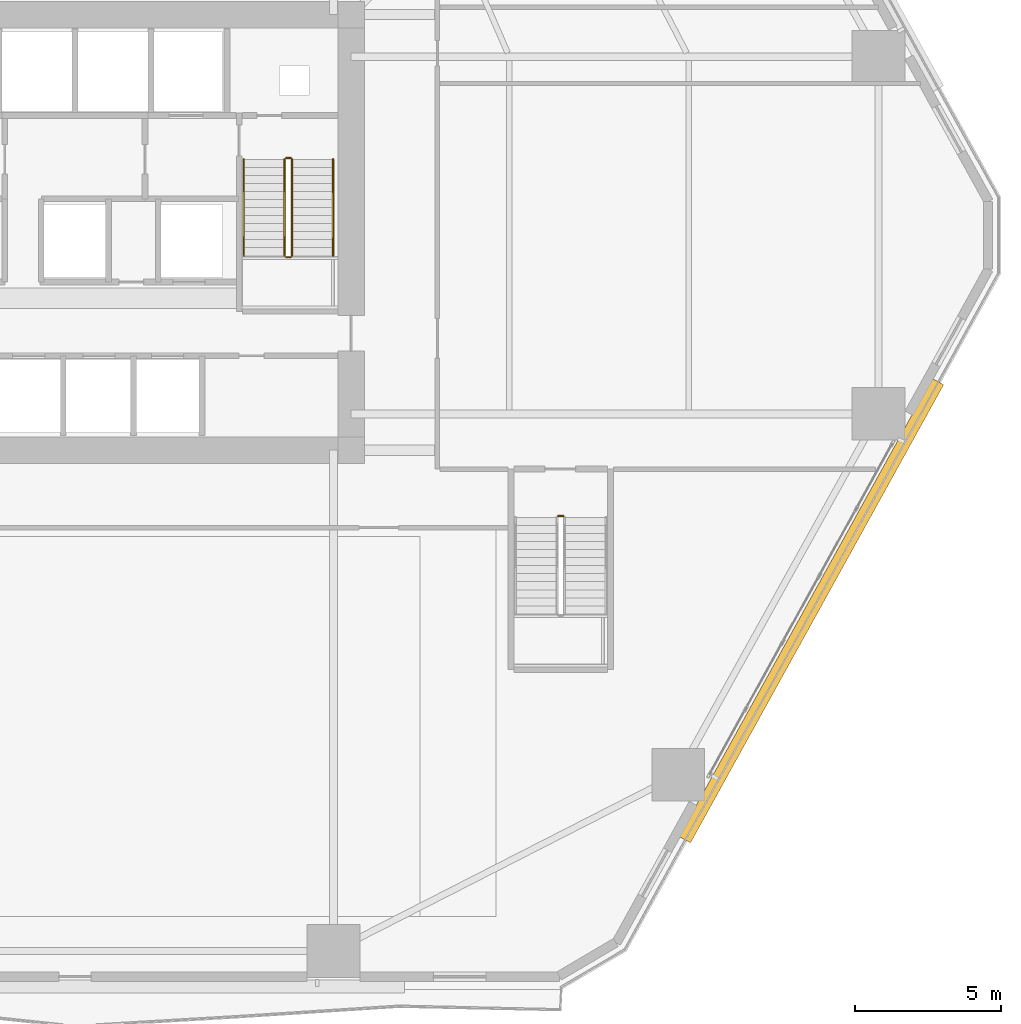
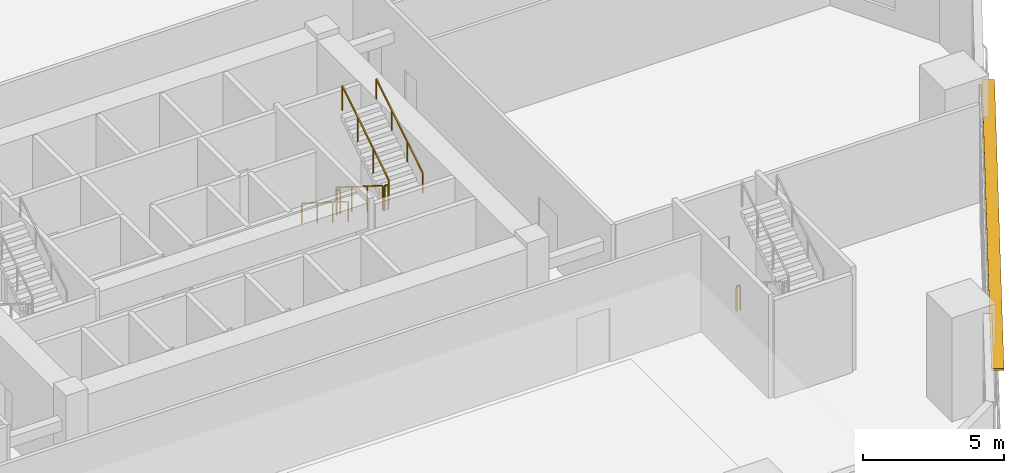
# One storey, part 20 of 21: 7 railings, 1 shading device.
"""IFC4 building model written with IfcOpenShell, lengths in metres."""

from ifc_helpers import new_model, si_unit, direction, frame, origin, origin_2d, place, context, subcontext, project, spatial, rectangle, extrude, material, layer, layer_set, type_object, element, save


model = new_model("IFC4")

# Units and contexts
model_context = context("Model", 3, precision=1e-05, world=origin(), true_north=direction((0.0, 1.0)))
body_context = subcontext(model_context, "Body", "Model", "MODEL_VIEW")
ifc_project = project(units=[si_unit("LENGTHUNIT", "METRE"), si_unit("AREAUNIT", "SQUARE_METRE"), si_unit("VOLUMEUNIT", "CUBIC_METRE"), si_unit("PLANEANGLEUNIT", "RADIAN"), si_unit("MASSUNIT", "GRAM", prefix="KILO")], contexts=[model_context])

# Site, building, storey
site_placement = place(None, origin())
site = spatial("IfcSite", under=ifc_project, at=site_placement, CompositionType="ELEMENT")
building_placement = place(site_placement, origin())
building = spatial("IfcBuilding", under=site, at=building_placement, Name="Cinnabar Lancet Tower", CompositionType="ELEMENT")
storey_placement = place(building_placement, frame((0.0, 0.0, 6.0)))
storey = spatial("IfcBuildingStorey", under=building, at=storey_placement, Name="L01", CompositionType="ELEMENT", Elevation=6.0)

# Shading device
ifc_material_1 = material(Name="Pale limestone architectural aluminium sunshade", Category="masonry")
ifc_layer = layer(ifc_material_1, 0.080078125)
ifc_layer_set = layer_set([ifc_layer], Name="Pale limestone architectural aluminium sunshade")
shading_device_type = type_object("IfcShadingDeviceType", Name="ENV-SHD-LVR-450", PredefinedType="JALOUSIE", material=ifc_layer_set)
shading_device_placement = place(storey_placement, frame((57.591064453125, 12.9609375, 2.639892578125), z_axis=(0.0, 0.0, 1.0), x_axis=(0.483679606683, 0.87524513028, 0.0)))
element("IfcShadingDevice", 1, at=shading_device_placement, inside=storey, type_object=shading_device_type, Name="L01 Face 2 Horizontal Sunshade Canopy", PredefinedType="JALOUSIE", context=body_context, shape_type="SweptSolid", body=[
    extrude(rectangle(XDim=17.904052734375, YDim=0.449951171875, at=origin_2d()), origin(), (0.0, 0.0, 1.0), 0.080078125),
])

# Railings
ifc_material_2 = material(Name="Painted galvanized steel balustrade", Category="steel")
railing_type_1 = type_object("IfcRailingType", Name="GUARD-STAIR", PredefinedType="GUARDRAIL", material=ifc_material_2)
railing_1_placement = place(storey_placement, frame((39.574951171875, 28.39990234375, 0.173095703125)))
element("IfcRailing", 2, at=railing_1_placement, inside=storey, type_object=railing_type_1, Name="L01 ST-2 stair guard 1", PredefinedType="GUARDRAIL", context=body_context, shape_type="SweptSolid", body=[
    extrude(rectangle(XDim=0.048095703125, YDim=0.048095703125, at=origin_2d()), frame((0.0, 0.0, 1.076171875), z_axis=(0.0, -0.846319618018, 0.532675421018), x_axis=(1.0, 0.0, 0.0)), (0.0, 0.0, 1.0), 3.89892578125),
    extrude(rectangle(XDim=0.0419921875, YDim=0.0419921875, at=origin_2d()), origin(), (0.0, 0.0, 1.0), 1.052001953125),
    extrude(rectangle(XDim=0.0419921875, YDim=0.0419921875, at=origin_2d()), frame((0.0, -1.099853515625, 0.6923828125)), (0.0, 0.0, 1.0), 1.052001953125),
    extrude(rectangle(XDim=0.0419921875, YDim=0.0419921875, at=origin_2d()), frame((0.0, -2.199951171875, 1.384521484375)), (0.0, 0.0, 1.0), 1.052001953125),
    extrude(rectangle(XDim=0.0419921875, YDim=0.0419921875, at=origin_2d()), frame((0.0, -3.2998046875, 2.076904296875)), (0.0, 0.0, 1.0), 1.052001953125),
])
railing_2_placement = place(storey_placement, frame((39.625, 25.050048828125, 2.25)))
element("IfcRailing", 3, at=railing_2_placement, inside=storey, type_object=railing_type_1, Name="L01 ST-2 stair guard 2", PredefinedType="GUARDRAIL", context=body_context, shape_type="SweptSolid", body=[
    extrude(rectangle(XDim=0.048095703125, YDim=0.048095703125, at=origin_2d()), frame((0.0, 0.0, 1.076171875), z_axis=(1.0, 0.0, 0.0), x_axis=(0.0, 1.0, 0.0)), (0.0, 0.0, 1.0), 0.14990234375),
    extrude(rectangle(XDim=0.0419921875, YDim=0.0419921875, at=origin_2d()), origin(), (0.0, 0.0, 1.0), 1.052001953125),
    extrude(rectangle(XDim=0.0419921875, YDim=0.0419921875, at=origin_2d()), frame((0.14990234375, 0.0, 0.0)), (0.0, 0.0, 1.0), 1.052001953125),
])
railing_3_placement = place(storey_placement, frame((39.824951171875, 25.10009765625, 2.423095703125)))
element("IfcRailing", 4, at=railing_3_placement, inside=storey, type_object=railing_type_1, Name="L01 ST-2 stair guard 3", PredefinedType="GUARDRAIL", context=body_context, shape_type="SweptSolid", body=[
    extrude(rectangle(XDim=0.048095703125, YDim=0.048095703125, at=origin_2d()), frame((0.0, 0.0, 1.076171875), z_axis=(0.0, 0.846319618018, 0.532675421018), x_axis=(-1.0, 0.0, 0.0)), (0.0, 0.0, 1.0), 3.89892578125),
    extrude(rectangle(XDim=0.0419921875, YDim=0.0419921875, at=origin_2d()), origin(), (0.0, 0.0, 1.0), 1.052001953125),
    extrude(rectangle(XDim=0.0419921875, YDim=0.0419921875, at=origin_2d()), frame((0.0, 1.099853515625, 0.6923828125)), (0.0, 0.0, 1.0), 1.052001953125),
    extrude(rectangle(XDim=0.0419921875, YDim=0.0419921875, at=origin_2d()), frame((0.0, 2.199951171875, 1.384521484375)), (0.0, 0.0, 1.0), 1.052001953125),
    extrude(rectangle(XDim=0.0419921875, YDim=0.0419921875, at=origin_2d()), frame((0.0, 3.2998046875, 2.076904296875)), (0.0, 0.0, 1.0), 1.052001953125),
])
for number, where, name in (
    (5, (39.625, 28.449951171875, 0.0), "L01 ST-2 stair guard 4"),
    (6, (48.945068359375, 16.199951171875, 0.0), "L01 ST-4 stair guard 4"),
):
    element("IfcRailing", number, at=place(storey_placement, frame(where)), inside=storey, type_object=railing_type_1, Name=name, PredefinedType="GUARDRAIL", context=body_context, shape_type="SweptSolid", body=[
        extrude(rectangle(XDim=0.048095703125, YDim=0.048095703125, at=origin_2d()), frame((0.0, 0.0, 1.076171875), z_axis=(1.0, 0.0, 0.0), x_axis=(0.0, 1.0, 0.0)), (0.0, 0.0, 1.0), 0.14990234375),
        extrude(rectangle(XDim=0.0419921875, YDim=0.0419921875, at=origin_2d()), origin(), (0.0, 0.0, 1.0), 1.052001953125),
        extrude(rectangle(XDim=0.0419921875, YDim=0.0419921875, at=origin_2d()), frame((0.14990234375, 0.0, 0.0)), (0.0, 0.0, 1.0), 1.052001953125),
    ])
ifc_material_3 = material(Name="Brushed stainless steel handrail", Category="steel")
railing_type_2 = type_object("IfcRailingType", Name="HANDRAIL-STAIR", PredefinedType="HANDRAIL", material=ifc_material_3)
railing_4_placement = place(storey_placement, frame((38.175048828125, 28.39990234375, 0.173095703125)))
element("IfcRailing", 7, at=railing_4_placement, inside=storey, type_object=railing_type_2, Name="L01 ST-2 stair handrail 1", PredefinedType="HANDRAIL", context=body_context, shape_type="SweptSolid", body=[
    extrude(rectangle(XDim=0.048095703125, YDim=0.048095703125, at=origin_2d()), frame((0.0, 0.0, 0.8759765625), z_axis=(0.0, -0.846319618018, 0.532675421018), x_axis=(1.0, 0.0, 0.0)), (0.0, 0.0, 1.0), 3.89892578125),
    extrude(rectangle(XDim=0.0419921875, YDim=0.0419921875, at=origin_2d()), origin(), (0.0, 0.0, 1.0), 0.851806640625),
    extrude(rectangle(XDim=0.0419921875, YDim=0.0419921875, at=origin_2d()), frame((0.0, -1.099853515625, 0.6923828125)), (0.0, 0.0, 1.0), 0.851806640625),
    extrude(rectangle(XDim=0.0419921875, YDim=0.0419921875, at=origin_2d()), frame((0.0, -2.199951171875, 1.384521484375)), (0.0, 0.0, 1.0), 0.851806640625),
    extrude(rectangle(XDim=0.0419921875, YDim=0.0419921875, at=origin_2d()), frame((0.0, -3.2998046875, 2.076904296875)), (0.0, 0.0, 1.0), 0.851806640625),
])
railing_5_placement = place(storey_placement, frame((41.22509765625, 25.10009765625, 2.423095703125)))
element("IfcRailing", 8, at=railing_5_placement, inside=storey, type_object=railing_type_2, Name="L01 ST-2 stair handrail 2", PredefinedType="HANDRAIL", context=body_context, shape_type="SweptSolid", body=[
    extrude(rectangle(XDim=0.048095703125, YDim=0.048095703125, at=origin_2d()), frame((0.0, 0.0, 0.8759765625), z_axis=(0.0, 0.846319618018, 0.532675421018), x_axis=(-1.0, 0.0, 0.0)), (0.0, 0.0, 1.0), 3.89892578125),
    extrude(rectangle(XDim=0.0419921875, YDim=0.0419921875, at=origin_2d()), origin(), (0.0, 0.0, 1.0), 0.851806640625),
    extrude(rectangle(XDim=0.0419921875, YDim=0.0419921875, at=origin_2d()), frame((0.0, 1.099853515625, 0.6923828125)), (0.0, 0.0, 1.0), 0.851806640625),
    extrude(rectangle(XDim=0.0419921875, YDim=0.0419921875, at=origin_2d()), frame((0.0, 2.199951171875, 1.384521484375)), (0.0, 0.0, 1.0), 0.851806640625),
    extrude(rectangle(XDim=0.0419921875, YDim=0.0419921875, at=origin_2d()), frame((0.0, 3.2998046875, 2.076904296875)), (0.0, 0.0, 1.0), 0.851806640625),
])

save(model, "model.ifc")
